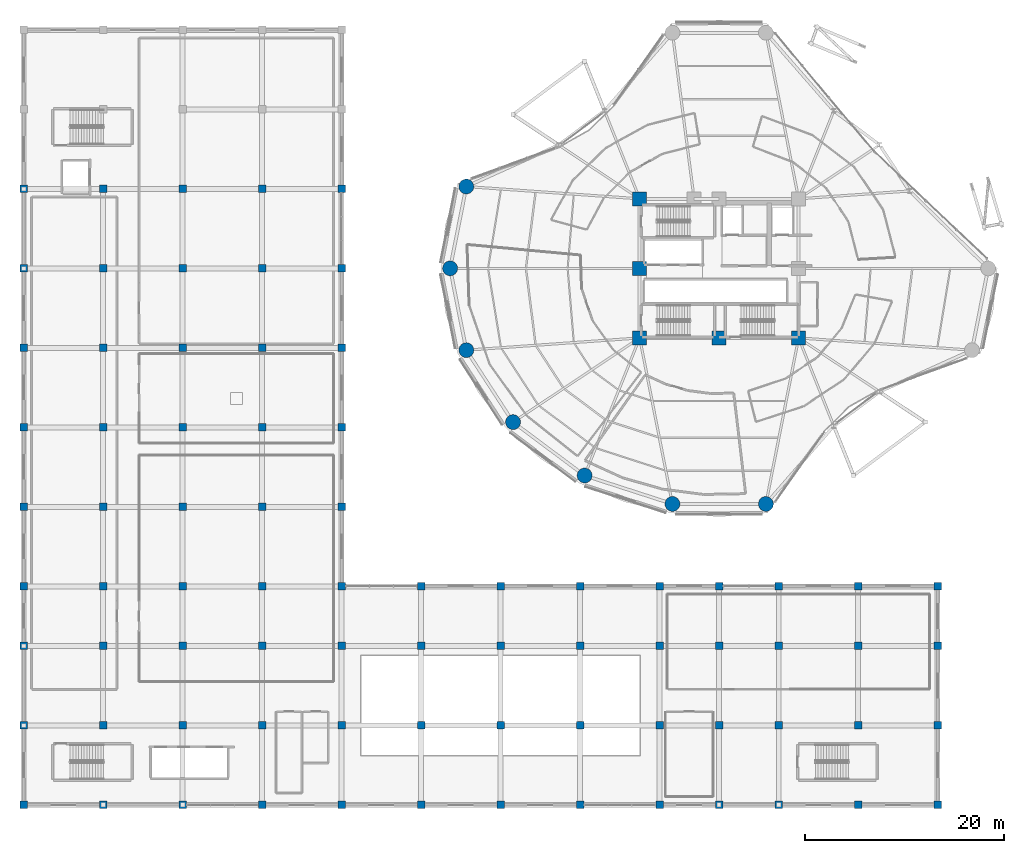
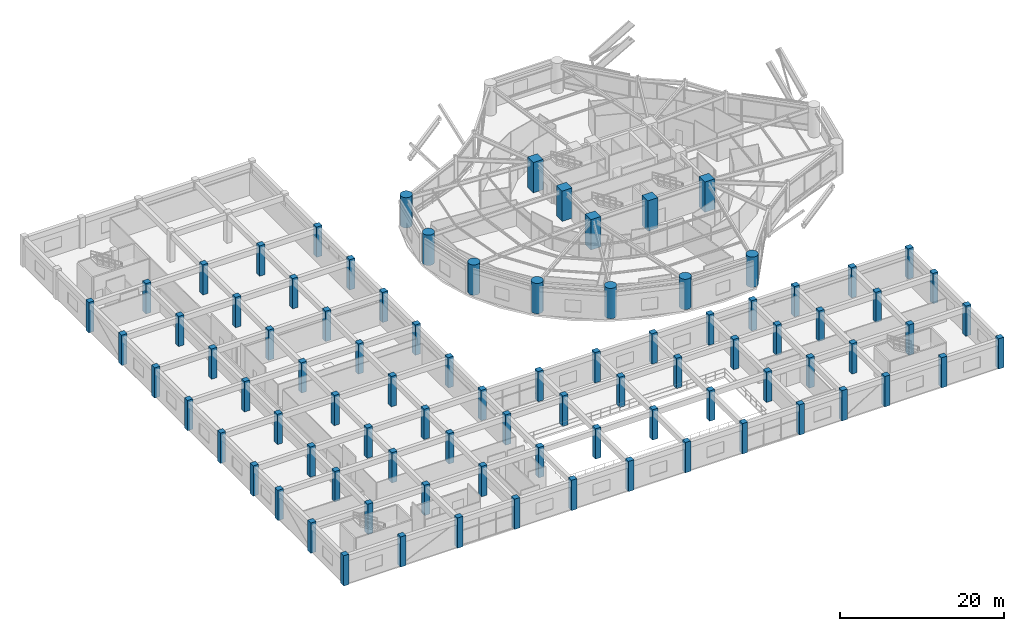
# One storey, part 1 of 55: 89 columns.
"""IFC4 building model written with IfcOpenShell, lengths in metres."""

import ifcopenshell
import ifcopenshell.guid

model = None  # the IFC model being written
_history = None  # IfcOwnerHistory: only IFC2X3 demands one
_inside = {}  # id of a spatial element -> (the spatial element, [elements in it])
_under = {}  # id of a project, library or spatial element -> (it, [spatial elements below it])
_declared = {}  # id of a project -> (the project, [libraries it declares])
_typed = {}  # id of a type object -> (the type object, [elements of that type])
_made_of = {}  # id of a material, layer set ... -> (it, [elements and type objects made of it])


def new_model(schema):
    """Start an empty IFC model of exactly this schema.

    Asked for "IFC4X3", IfcOpenShell would pick the latest addendum, in which some entities
    have other attributes; the version numbers below select the first issue.
    IFC2X3 requires an IfcOwnerHistory on every rooted entity: one is made here for all.
    """
    global model, _history
    if schema == "IFC4X3":
        model = ifcopenshell.file(schema_version=(4, 3, 0, 0))
    else:
        model = ifcopenshell.file(schema=schema)
    _inside.clear()
    _under.clear()
    _declared.clear()
    _typed.clear()
    _made_of.clear()
    _history = None
    if model.schema == "IFC2X3":
        org = make("IfcOrganization", Name="unknown")
        user = make(
            "IfcPersonAndOrganization",
            ThePerson=make("IfcPerson", FamilyName="unknown"),
            TheOrganization=org,
        )
        app = make(
            "IfcApplication",
            ApplicationDeveloper=org,
            Version="unknown",
            ApplicationFullName="unknown",
            ApplicationIdentifier="unknown",
        )
        _history = make(
            "IfcOwnerHistory",
            OwningUser=user,
            OwningApplication=app,
            ChangeAction="ADDED",
            CreationDate=0,
        )
    return model


def make(cls, **values):
    """One entity of the class cls with the attributes given. An attribute that is None is left unset."""
    return model.create_entity(
        cls, **{name: value for name, value in values.items() if value is not None}
    )


def rooted(cls, **values):
    """An entity with a GlobalId (a new one), such as an element, a storey or a relation."""
    return make(cls, GlobalId=ifcopenshell.guid.new(), OwnerHistory=_history, **values)


def si_unit(unit_type, name, prefix=None):
    """IfcSIUnit, for example si_unit("LENGTHUNIT", "METRE", prefix="MILLI")."""
    return make("IfcSIUnit", UnitType=unit_type, Prefix=prefix, Name=name)


def assignment(units):
    """IfcUnitAssignment: the units of a project."""
    return None if units is None else make("IfcUnitAssignment", Units=units)


def point(xyz):
    """IfcCartesianPoint."""
    return None if xyz is None else make("IfcCartesianPoint", Coordinates=xyz)


def direction(xyz):
    """IfcDirection."""
    return None if xyz is None else make("IfcDirection", DirectionRatios=xyz)


def frame(location, z_axis=None, x_axis=None):
    """IfcAxis2Placement3D, a coordinate frame: its origin and axes. An axis left out is left unset."""
    return make(
        "IfcAxis2Placement3D",
        Location=point(location),
        Axis=direction(z_axis),
        RefDirection=direction(x_axis),
    )


def frame_2d(location, x_axis=None):
    """IfcAxis2Placement2D, a coordinate frame in the plane: its origin and x axis."""
    return make(
        "IfcAxis2Placement2D", Location=point(location), RefDirection=direction(x_axis)
    )


def origin():
    """The frame at (0, 0, 0) with its axes left unset."""
    return frame((0.0, 0.0, 0.0))


def origin_2d():
    """The frame at (0, 0) in the plane with its x axis left unset."""
    return frame_2d((0.0, 0.0))


def place(relative_to, where):
    """IfcLocalPlacement: puts the frame where relative to a parent placement (None: the world)."""
    return make(
        "IfcLocalPlacement", PlacementRelTo=relative_to, RelativePlacement=where
    )


def context(
    kind, dimensions, precision=None, world=None, true_north=None, identifier=None
):
    """IfcGeometricRepresentationContext, for example the 3D "Model" context."""
    return make(
        "IfcGeometricRepresentationContext",
        ContextIdentifier=identifier,
        ContextType=kind,
        CoordinateSpaceDimension=dimensions,
        Precision=precision,
        WorldCoordinateSystem=world,
        TrueNorth=true_north,
    )


def subcontext(parent, identifier, kind, view, scale=None):
    """IfcGeometricRepresentationSubContext, for example "Body" below "Model"."""
    return make(
        "IfcGeometricRepresentationSubContext",
        ContextIdentifier=identifier,
        ContextType=kind,
        ParentContext=parent,
        TargetScale=scale,
        TargetView=view,
    )


def project(units=None, contexts=None):
    """IfcProject with its units and contexts."""
    return rooted(
        "IfcProject",
        Name="project",
        RepresentationContexts=contexts,
        UnitsInContext=assignment(units),
    )


def spatial(cls, under=None, at=None, **own):
    """A site, building, storey or space (cls), placed at a placement, below another one or the project."""
    s = rooted(cls, ObjectPlacement=at, **own)
    if under is not None:
        _under.setdefault(under.id(), (under, []))[1].append(s)
    return s


def profile(cls, at=None, kind="AREA", **sizes):
    """A parametric profile (cls). Its sizes go by their IFC names, for example OverallWidth=200.0."""
    return make(cls, ProfileType=kind, Position=at, **sizes)


def rectangle(**sizes):
    """IfcRectangleProfileDef."""
    return profile("IfcRectangleProfileDef", **sizes)


def circle(**sizes):
    """IfcCircleProfileDef."""
    return profile("IfcCircleProfileDef", **sizes)


def extrude(swept, where, along, depth):
    """IfcExtrudedAreaSolid: the profile swept, set in the frame where, extruded along a direction by depth."""
    return make(
        "IfcExtrudedAreaSolid",
        SweptArea=swept,
        Position=where,
        ExtrudedDirection=direction(along),
        Depth=depth,
    )


def shape(context_of_items, identifier, shape_type, items):
    """IfcShapeRepresentation: the items that make up one representation, for example the "Body"."""
    return make(
        "IfcShapeRepresentation",
        ContextOfItems=context_of_items,
        RepresentationIdentifier=identifier,
        RepresentationType=shape_type,
        Items=items,
    )


def material(Name=None, Category=None):
    """IfcMaterial."""
    return make("IfcMaterial", Name=Name, Category=Category)


def material_profile(
    of_material, cross_section, Name=None, Category=None, Priority=None
):
    """IfcMaterialProfile: a cross section and its material."""
    return make(
        "IfcMaterialProfile",
        Name=Name,
        Material=of_material,
        Profile=cross_section,
        Priority=Priority,
        Category=Category,
    )


def profile_set(profiles, Name=None, composite=None):
    """IfcMaterialProfileSet."""
    return make(
        "IfcMaterialProfileSet",
        Name=Name,
        MaterialProfiles=profiles,
        CompositeProfile=composite,
    )


def made_of(thing, what):
    """Note that an element or type object is made of a material, layer set ...; save() writes the relation."""
    if what is not None:
        _made_of.setdefault(what.id(), (what, []))[1].append(thing)
    return thing


def type_object(cls, material=None, **own):
    """A type object (cls), such as IfcWallType, which elements share."""
    return made_of(rooted(cls, **own), material)


def element(
    cls,
    number,
    at=None,
    inside=None,
    cuts=None,
    type_object=None,
    material=None,
    context=None,
    identifier="Body",
    shape_type=None,
    held_by="IfcProductDefinitionShape",
    body=None,
    shapes=None,
    **own,
):
    """One element of the class cls, such as IfcWall. Its Tag is "e" and its number.

    at: its placement. inside: the storey or other place that contains it. cuts: it is an
    opening in that element (IfcRelVoidsElement). A single representation is given by context,
    identifier, shape_type and body (its items); several are given by shapes. held_by: the class
    of the entity that holds the representations. save() writes the other relations.
    """
    e = rooted(cls, Tag="e%d" % number, ObjectPlacement=at, **own)
    if body is not None:
        shapes = [shape(context, identifier, shape_type, body)]
    if shapes is not None:
        e.Representation = make(held_by, Representations=shapes)
    if inside is not None:
        _inside.setdefault(inside.id(), (inside, []))[1].append(e)
    if cuts is not None:
        rooted(
            "IfcRelVoidsElement", RelatingBuildingElement=cuts, RelatedOpeningElement=e
        )
    if type_object is not None:
        _typed.setdefault(type_object.id(), (type_object, []))[1].append(e)
    return made_of(e, material)


def aggregate(whole, parts):
    """IfcRelAggregates: a whole, such as a stair, and the parts it consists of."""
    return rooted("IfcRelAggregates", RelatingObject=whole, RelatedObjects=parts)


def save(model, path):
    """Write the relations noted so far, then the file.

    IfcRelAggregates (storeys below a building ...), IfcRelContainedInSpatialStructure (elements
    in a storey), IfcRelDefinesByType, IfcRelAssociatesMaterial and IfcRelDeclares: one each for
    every whole, place, type object, material and project.
    """
    for whole, parts in _under.values():
        aggregate(whole, parts)
    for where, things in _inside.values():
        rooted(
            "IfcRelContainedInSpatialStructure",
            RelatedElements=things,
            RelatingStructure=where,
        )
    for kind, things in _typed.values():
        rooted("IfcRelDefinesByType", RelatedObjects=things, RelatingType=kind)
    for what, things in _made_of.values():
        rooted("IfcRelAssociatesMaterial", RelatedObjects=things, RelatingMaterial=what)
    for by, libraries in _declared.values():
        rooted("IfcRelDeclares", RelatingContext=by, RelatedDefinitions=libraries)
    model.write(path)


model = new_model("IFC4")

# Units and contexts
model_context = context("Model", 3, precision=1e-05, world=origin(), true_north=direction((0.0, 1.0)))
body_context = subcontext(model_context, "Body", "Model", "MODEL_VIEW")
ifc_project = project(units=[si_unit("LENGTHUNIT", "METRE"), si_unit("AREAUNIT", "SQUARE_METRE"), si_unit("VOLUMEUNIT", "CUBIC_METRE"), si_unit("PLANEANGLEUNIT", "RADIAN"), si_unit("MASSUNIT", "GRAM", prefix="KILO")], contexts=[model_context])

# Site, building, storey
site_placement = place(None, origin())
site = spatial("IfcSite", under=ifc_project, at=site_placement, CompositionType="ELEMENT")
building_placement = place(site_placement, origin())
building = spatial("IfcBuilding", under=site, at=building_placement, Name="Kelanora Arch Commons", CompositionType="ELEMENT")
storey_placement = place(building_placement, frame((0.0, 0.0, 4.5)))
storey = spatial("IfcBuildingStorey", under=building, at=storey_placement, Name="L01", CompositionType="ELEMENT", Elevation=4.5)

# Columns
ifc_material_1 = material(Name="Concrete C50/60", Category="concrete")
ifc_material_profile_1 = material_profile(ifc_material_1, rectangle(XDim=0.75, YDim=0.75, at=origin_2d()), Name="RC750x750")
ifc_profile_set_1 = profile_set([ifc_material_profile_1], Name="Concrete C50/60")
column_type_1 = type_object("IfcColumnType", Name="COL-MKT-MAIN", PredefinedType="COLUMN", material=ifc_profile_set_1)
for number, where, z_axis, x_axis, name in (
    (1, (4.0, 4.0, 0.0), (0.0, 0.0, 1.0), (1.0, 0.0, 0.0), "Market Hall Column 1-A L01"),
    (2, (4.0, 12.0, 0.0), (0.0, 0.0, 1.0), (1.0, 0.0, 0.0), "Market Hall Column 1-B L01"),
    (3, (4.0, 20.0, 0.0), (0.0, 0.0, 1.0), (1.0, 0.0, 0.0), "Market Hall Column 1-C L01"),
    (4, (4.0, 26.0, 0.0), (0.0, 0.0, 1.0), (1.0, 0.0, 0.0), "Market Hall Column 1-D L01"),
    (5, (4.0, 34.0, 0.0), (0.0, 0.0, 1.0), (1.0, 0.0, 0.0), "Market Hall Column 1-E L01"),
    (6, (4.0, 42.0, 0.0), (0.0, 0.0, 1.0), (1.0, 0.0, 0.0), "Market Hall Column 1-F L01"),
    (7, (4.0, 50.0, 0.0), (0.0, 0.0, 1.0), (1.0, 0.0, 0.0), "Market Hall Column 1-G L01"),
    (8, (4.0, 58.0, 0.0), (0.0, 0.0, 1.0), (1.0, 0.0, 0.0), "Market Hall Column 1-H L01"),
    (9, (4.0, 66.0, 0.0), (0.0, 0.0, 1.0), (1.0, 0.0, 0.0), "Market Hall Column 1-J L01"),
    (10, (12.0, 4.0, 0.0), (0.0, 0.0, 1.0), (1.0, 0.0, 0.0), "Market Hall Column 2-A L01"),
    (11, (12.0, 12.0, 0.0), (0.0, 0.0, 1.0), (1.0, 0.0, 0.0), "Market Hall Column 2-B L01"),
    (12, (12.0, 20.0, 0.0), (0.0, 0.0, 1.0), (1.0, 0.0, 0.0), "Market Hall Column 2-C L01"),
    (13, (12.0, 26.0, 0.0), (0.0, 0.0, 1.0), (1.0, 0.0, 0.0), "Market Hall Column 2-D L01"),
    (14, (12.0, 34.0, 0.0), (0.0, 0.0, 1.0), (1.0, 0.0, 0.0), "Market Hall Column 2-E L01"),
    (15, (12.0, 42.0, 0.0), (0.0, 0.0, 1.0), (1.0, 0.0, 0.0), "Market Hall Column 2-F L01"),
    (16, (12.0, 50.0, 0.0), (0.0, 0.0, 1.0), (1.0, 0.0, 0.0), "Market Hall Column 2-G L01"),
    (17, (12.0, 58.0, 0.0), (0.0, 0.0, 1.0), (1.0, 0.0, 0.0), "Market Hall Column 2-H L01"),
    (18, (12.0, 66.0, 0.0), (0.0, 0.0, 1.0), (1.0, 0.0, 0.0), "Market Hall Column 2-J L01"),
    (19, (20.0, 4.0, 0.0), (0.0, 0.0, 1.0), (1.0, 0.0, 0.0), "Market Hall Column 3-A L01"),
    (20, (20.0, 12.0, 0.0), (0.0, 0.0, 1.0), (1.0, 0.0, 0.0), "Market Hall Column 3-B L01"),
    (21, (20.0, 20.0, 0.0), (0.0, 0.0, 1.0), (1.0, 0.0, 0.0), "Market Hall Column 3-C L01"),
    (22, (20.0, 26.0, 0.0), (0.0, 0.0, 1.0), (1.0, 0.0, 0.0), "Market Hall Column 3-D L01"),
    (23, (20.0, 34.0, 0.0), (0.0, 0.0, 1.0), (1.0, 0.0, 0.0), "Market Hall Column 3-E L01"),
    (24, (20.0, 42.0, 0.0), (0.0, 0.0, 1.0), (1.0, 0.0, 0.0), "Market Hall Column 3-F L01"),
    (25, (20.0, 50.0, 0.0), (0.0, 0.0, 1.0), (1.0, 0.0, 0.0), "Market Hall Column 3-G L01"),
    (26, (20.0, 58.0, 0.0), (0.0, 0.0, 1.0), (1.0, 0.0, 0.0), "Market Hall Column 3-H L01"),
    (27, (20.0, 66.0, 0.0), (0.0, 0.0, 1.0), (1.0, 0.0, 0.0), "Market Hall Column 3-J L01"),
    (28, (28.0, 4.0, 0.0), (0.0, 0.0, 1.0), (1.0, 0.0, 0.0), "Market Hall Column 4-A L01"),
    (29, (28.0, 12.0, 0.0), (0.0, 0.0, 1.0), (1.0, 0.0, 0.0), "Market Hall Column 4-B L01"),
    (30, (28.0, 20.0, 0.0), (0.0, 0.0, 1.0), (1.0, 0.0, 0.0), "Market Hall Column 4-C L01"),
    (31, (28.0, 26.0, 0.0), (0.0, 0.0, 1.0), (1.0, 0.0, 0.0), "Market Hall Column 4-D L01"),
    (32, (28.0, 34.0, 0.0), (0.0, 0.0, 1.0), (1.0, 0.0, 0.0), "Market Hall Column 4-E L01"),
    (33, (28.0, 42.0, 0.0), (0.0, 0.0, 1.0), (1.0, 0.0, 0.0), "Market Hall Column 4-F L01"),
    (34, (28.0, 50.0, 0.0), (0.0, 0.0, 1.0), (1.0, 0.0, 0.0), "Market Hall Column 4-G L01"),
    (35, (28.0, 58.0, 0.0), (0.0, 0.0, 1.0), (1.0, 0.0, 0.0), "Market Hall Column 4-H L01"),
    (36, (28.0, 66.0, 0.0), (0.0, 0.0, 1.0), (1.0, 0.0, 0.0), "Market Hall Column 4-J L01"),
    (37, (36.0, 4.0, 0.0), (0.0, 0.0, 1.0), (1.0, 0.0, 0.0), "Market Hall Column 5-A L01"),
    (38, (36.0, 12.0, 0.0), (0.0, 0.0, 1.0), (1.0, 0.0, 0.0), "Market Hall Column 5-B L01"),
    (39, (36.0, 20.0, 0.0), (0.0, 0.0, 1.0), (1.0, 0.0, 0.0), "Market Hall Column 5-C L01"),
    (40, (36.0, 26.0, 0.0), (0.0, 0.0, 1.0), (1.0, 0.0, 0.0), "Market Hall Column 5-D L01"),
    (41, (36.0, 34.0, 0.0), (0.0, 0.0, 1.0), (1.0, 0.0, 0.0), "Market Hall Column 5-E L01"),
    (42, (36.0, 42.0, 0.0), (0.0, 0.0, 1.0), (1.0, 0.0, 0.0), "Market Hall Column 5-F L01"),
    (43, (36.0, 50.0, 0.0), (0.0, 0.0, 1.0), (1.0, 0.0, 0.0), "Market Hall Column 5-G L01"),
    (44, (36.0, 58.0, 0.0), (0.0, 0.0, 1.0), (1.0, 0.0, 0.0), "Market Hall Column 5-H L01"),
    (45, (36.0, 66.0, 0.0), (0.0, 0.0, 1.0), (1.0, 0.0, 0.0), "Market Hall Column 5-J L01"),
    (46, (44.0, 4.0, 0.0), (0.0, 0.0, 1.0), (1.0, 0.0, 0.0), "Market Hall Column 6-A L01"),
    (47, (44.0, 12.0, 0.0), (0.0, 0.0, 1.0), (1.0, 0.0, 0.0), "Market Hall Column 6-B L01"),
    (48, (44.0, 20.0, 0.0), (0.0, 0.0, 1.0), (1.0, 0.0, 0.0), "Market Hall Column 6-C L01"),
    (49, (44.0, 26.0, 0.0), (0.0, 0.0, 1.0), (1.0, 0.0, 0.0), "Market Hall Column 6-D L01"),
    (50, (52.0, 4.0, 0.0), (0.0, 0.0, 1.0), (1.0, 0.0, 0.0), "Market Hall Column 7-A L01"),
    (51, (52.0, 12.0, 0.0), (0.0, 0.0, 1.0), (1.0, 0.0, 0.0), "Market Hall Column 7-B L01"),
    (52, (52.0, 20.0, 0.0), (0.0, 0.0, 1.0), (1.0, 0.0, 0.0), "Market Hall Column 7-C L01"),
    (53, (52.0, 26.0, 0.0), (0.0, 0.0, 1.0), (1.0, 0.0, 0.0), "Market Hall Column 7-D L01"),
    (54, (60.0, 4.0, 0.0), (0.0, 0.0, 1.0), (1.0, 0.0, 0.0), "Market Hall Column 8-A L01"),
    (55, (60.0, 12.0, 0.0), (0.0, 0.0, 1.0), (1.0, 0.0, 0.0), "Market Hall Column 8-B L01"),
    (56, (60.0, 20.0, 0.0), (0.0, 0.0, 1.0), (1.0, 0.0, 0.0), "Market Hall Column 8-C L01"),
    (57, (60.0, 26.0, 0.0), (0.0, 0.0, 1.0), (1.0, 0.0, 0.0), "Market Hall Column 8-D L01"),
    (58, (68.0, 4.0, 0.0), (0.0, 0.0, 1.0), (1.0, 0.0, 0.0), "Market Hall Column 9-A L01"),
    (59, (68.0, 12.0, 0.0), (0.0, 0.0, 1.0), (1.0, 0.0, 0.0), "Market Hall Column 9-B L01"),
    (60, (68.0, 20.0, 0.0), (0.0, 0.0, 1.0), (1.0, 0.0, 0.0), "Market Hall Column 9-C L01"),
    (61, (68.0, 26.0, 0.0), (0.0, 0.0, 1.0), (1.0, 0.0, 0.0), "Market Hall Column 9-D L01"),
    (62, (74.0, 4.0, 0.0), (0.0, 0.0, 1.0), (1.0, 0.0, 0.0), "Market Hall Column 10-A L01"),
    (63, (74.0, 12.0, 0.0), (0.0, 0.0, 1.0), (1.0, 0.0, 0.0), "Market Hall Column 10-B L01"),
    (64, (74.0, 20.0, 0.0), (0.0, 0.0, 1.0), (1.0, 0.0, 0.0), "Market Hall Column 10-C L01"),
    (65, (74.0, 26.0, 0.0), (0.0, 0.0, 1.0), (1.0, 0.0, 0.0), "Market Hall Column 10-D L01"),
    (66, (80.0, 4.0, 0.0), (0.0, 0.0, 1.0), (1.0, 0.0, 0.0), "Market Hall Column 11-A L01"),
    (67, (80.0, 12.0, 0.0), (0.0, 0.0, 1.0), (1.0, 0.0, 0.0), "Market Hall Column 11-B L01"),
    (68, (80.0, 20.0, 0.0), (0.0, 0.0, 1.0), (1.0, 0.0, 0.0), "Market Hall Column 11-C L01"),
    (69, (80.0, 26.0, 0.0), (0.0, 0.0, 1.0), (1.0, 0.0, 0.0), "Market Hall Column 11-D L01"),
    (70, (88.0, 4.0, 0.0), (0.0, 0.0, 1.0), (1.0, 0.0, 0.0), "Market Hall Column 12-A L01"),
    (71, (88.0, 12.0, 0.0), (0.0, 0.0, 1.0), (1.0, 0.0, 0.0), "Market Hall Column 12-B L01"),
    (72, (88.0, 20.0, 0.0), (0.0, 0.0, 1.0), (1.0, 0.0, 0.0), "Market Hall Column 12-C L01"),
    (73, (88.0, 26.0, 0.0), (0.0, 0.0, 1.0), (1.0, 0.0, 0.0), "Market Hall Column 12-D L01"),
    (74, (96.0, 4.0, 0.0), (0.0, 0.0, 1.0), (1.0, 0.0, 0.0), "Market Hall Column 13-A L01"),
    (75, (96.0, 12.0, 0.0), (0.0, 0.0, 1.0), (1.0, 0.0, 0.0), "Market Hall Column 13-B L01"),
    (76, (96.0, 20.0, 0.0), (0.0, 0.0, 1.0), (1.0, 0.0, 0.0), "Market Hall Column 13-C L01"),
    (77, (96.0, 26.0, 0.0), (0.0, 0.0, 1.0), (1.0, 0.0, 0.0), "Market Hall Column 13-D L01"),
):
    element("IfcColumn", number, at=place(storey_placement, frame(where, z_axis=z_axis, x_axis=x_axis)), inside=storey, type_object=column_type_1, Name=name, PredefinedType="COLUMN", context=body_context, shape_type="SweptSolid", body=[
        extrude(rectangle(XDim=0.75, YDim=0.75, at=origin_2d()), origin(), (0.0, 0.0, 1.0), 4.5),
    ])
ifc_material_2 = material(Name="Concrete C60/75", Category="concrete")
ifc_material_profile_2 = material_profile(ifc_material_2, circle(Radius=0.75, at=origin_2d()), Name="RCC1500")
ifc_profile_set_2 = profile_set([ifc_material_profile_2], Name="Concrete C60/75")
column_type_2 = type_object("IfcColumnType", Name="COL-PERIM-Z1", PredefinedType="COLUMN", material=ifc_profile_set_2)
for number, where, z_axis, x_axis, name in (
    (78, (48.552978515625, 66.23583984375, 0.0), (0.0, 0.0, 1.0), (1.0, 0.0, 0.0), "Perimeter Ring Column CP-16 L01"),
    (79, (46.919921875, 58.0, 0.0), (0.0, 0.0, 1.0), (1.0, 0.0, 0.0), "Perimeter Ring Column CP-18 L01"),
    (80, (48.552978515625, 49.76416015625, 0.0), (0.0, 0.0, 1.0), (1.0, 0.0, 0.0), "Perimeter Ring Column CP-20 L01"),
    (81, (53.255615234375, 42.521728515625, 0.0), (0.0, 0.0, 1.0), (1.0, 0.0, 0.0), "Perimeter Ring Column CP-22 L01"),
    (82, (60.4599609375, 37.14599609375, 0.0), (0.0, 0.0, 1.0), (1.0, 0.0, 0.0), "Perimeter Ring Column CP-24 L01"),
    (83, (69.297607421875, 34.285888671875, 0.0), (0.0, 0.0, 1.0), (1.0, 0.0, 0.0), "Perimeter Ring Column CP-26 L01"),
    (84, (78.702392578125, 34.285888671875, 0.0), (0.0, 0.0, 1.0), (1.0, 0.0, 0.0), "Perimeter Ring Column CP-28 L01"),
):
    element("IfcColumn", number, at=place(storey_placement, frame(where, z_axis=z_axis, x_axis=x_axis)), inside=storey, type_object=column_type_2, Name=name, PredefinedType="COLUMN", context=body_context, shape_type="SweptSolid", body=[
        extrude(circle(Radius=0.75, at=origin_2d()), origin(), (0.0, 0.0, 1.0), 4.5),
    ])
ifc_material_profile_3 = material_profile(ifc_material_2, rectangle(XDim=1.39990234375, YDim=1.39990234375, at=origin_2d()), Name="RC1400x1400")
ifc_profile_set_3 = profile_set([ifc_material_profile_3], Name="Concrete C60/75")
column_type_3 = type_object("IfcColumnType", Name="COL-PIL-LOW", PredefinedType="PILASTER", material=ifc_profile_set_3)
for number, where, z_axis, x_axis, name in (
    (85, (66.0, 51.0, 0.0), (0.0, 0.0, 1.0), (1.0, 0.0, 0.0), "Core Pilaster Column CP1 L01"),
    (86, (74.0, 51.0, 0.0), (0.0, 0.0, 1.0), (1.0, 0.0, 0.0), "Core Pilaster Column CP2 L01"),
    (87, (82.0, 51.0, 0.0), (0.0, 0.0, 1.0), (1.0, 0.0, 0.0), "Core Pilaster Column CP3 L01"),
    (88, (66.0, 65.0, 0.0), (0.0, 0.0, 1.0), (1.0, 0.0, 0.0), "Core Pilaster Column CP7 L01"),
    (89, (66.0, 58.0, 0.0), (0.0, 0.0, 1.0), (1.0, 0.0, 0.0), "Core Pilaster Column CP8 L01"),
):
    element("IfcColumn", number, at=place(storey_placement, frame(where, z_axis=z_axis, x_axis=x_axis)), inside=storey, type_object=column_type_3, Name=name, PredefinedType="PILASTER", context=body_context, shape_type="SweptSolid", body=[
        extrude(rectangle(XDim=1.39990234375, YDim=1.39990234375, at=origin_2d()), origin(), (0.0, 0.0, 1.0), 4.5),
    ])

save(model, "model.ifc")
